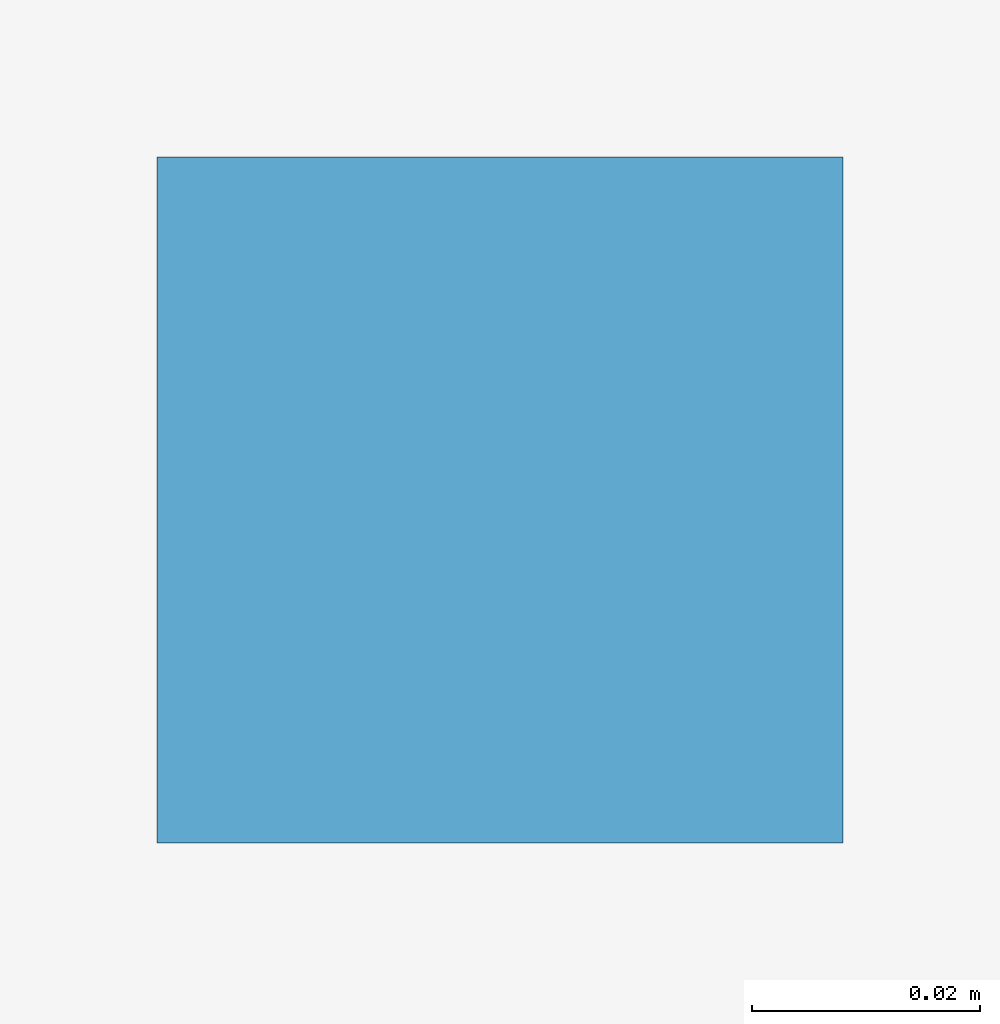
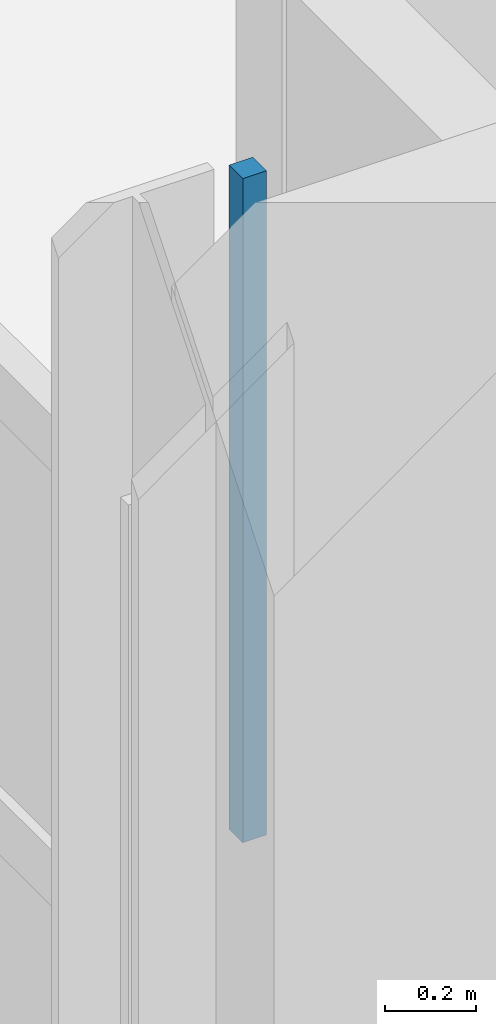
# One storey, part 67 of 111: 1 discrete accessory.
"""IFC4 building model written with IfcOpenShell, lengths in metres."""

from ifc_helpers import new_model, si_unit, direction, frame, origin, place, context, subcontext, project, spatial, polyline, outline, extrude, material, type_object, element, save


model = new_model("IFC4")

# Units and contexts
model_context = context("Model", 3, precision=1e-05, world=origin(), true_north=direction((0.0, 1.0)))
body_context = subcontext(model_context, "Body", "Model", "MODEL_VIEW")
ifc_project = project(units=[si_unit("LENGTHUNIT", "METRE"), si_unit("AREAUNIT", "SQUARE_METRE"), si_unit("VOLUMEUNIT", "CUBIC_METRE"), si_unit("PLANEANGLEUNIT", "RADIAN"), si_unit("MASSUNIT", "GRAM", prefix="KILO")], contexts=[model_context])

# Site, building, storey
site_placement = place(None, origin())
site = spatial("IfcSite", under=ifc_project, at=site_placement, CompositionType="ELEMENT")
building_placement = place(site_placement, origin())
building = spatial("IfcBuilding", under=site, at=building_placement, Name="Dunescarp Central Library", CompositionType="ELEMENT")
storey_placement = place(building_placement, origin())
storey = spatial("IfcBuildingStorey", under=building, at=storey_placement, Name="L00", CompositionType="ELEMENT", Elevation=0.0)

# Discrete accessory
ifc_material = material(Name="Stainless steel Grade 316L", Category="steel")
discrete_accessory_type = type_object("IfcDiscreteAccessoryType", Name="ARC-ACC-BRK", PredefinedType="BRACKET", material=ifc_material)
discrete_accessory_placement = place(storey_placement, frame((0.0, 0.0, 3.06005859375)))
element("IfcDiscreteAccessory", 1, at=discrete_accessory_placement, inside=storey, type_object=discrete_accessory_type, Name="L00 ceiling hanger CLG-L00-003-H1", PredefinedType="BRACKET", context=body_context, shape_type="SweptSolid", body=[
    extrude(outline(polyline([(0.419921875, 5.219970703125), (0.47998046875, 5.219970703125), (0.47998046875, 5.280029296875), (0.419921875, 5.280029296875), (0.419921875, 5.219970703125)])), origin(), (0.0, 0.0, 1.0), 1.780029296875),
])

save(model, "model.ifc")
